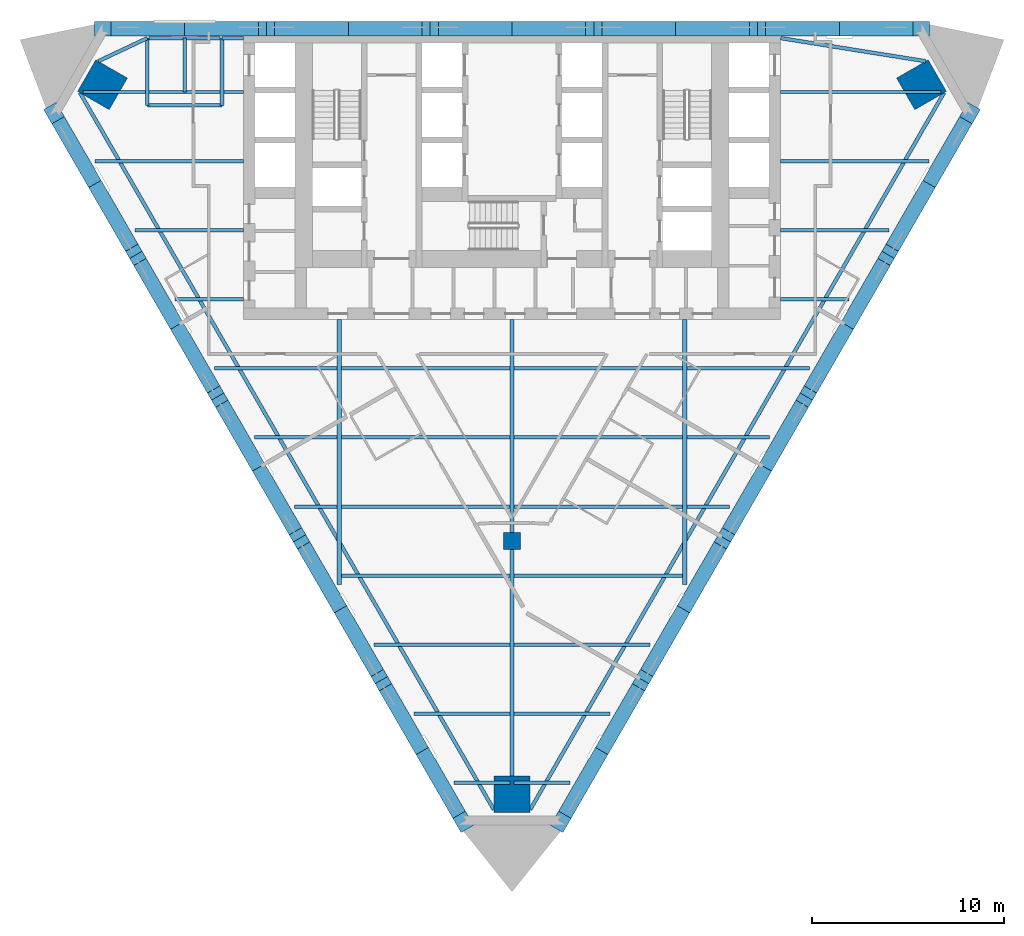
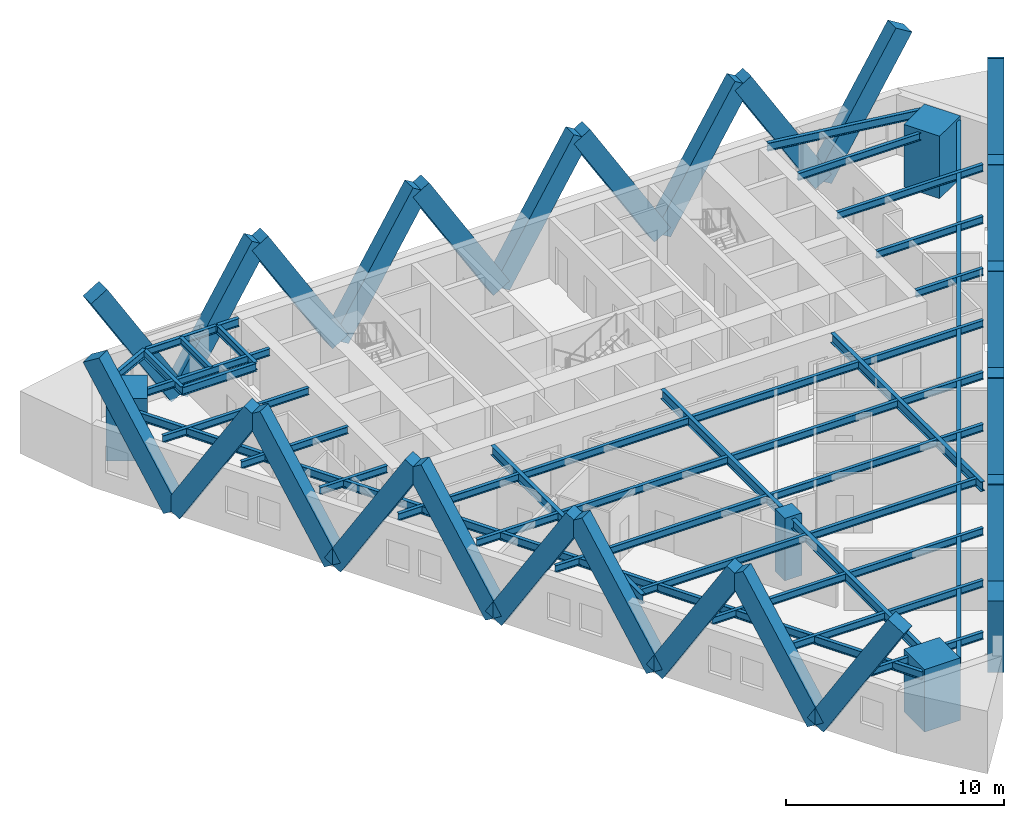
# One storey, part 1 of 8: 42 beams, 30 members, 4 columns.
"""IFC4 building model written with IfcOpenShell, lengths in metres."""

import ifcopenshell
import ifcopenshell.guid

model = None  # the IFC model being written
_history = None  # IfcOwnerHistory: only IFC2X3 demands one
_inside = {}  # id of a spatial element -> (the spatial element, [elements in it])
_under = {}  # id of a project, library or spatial element -> (it, [spatial elements below it])
_declared = {}  # id of a project -> (the project, [libraries it declares])
_typed = {}  # id of a type object -> (the type object, [elements of that type])
_made_of = {}  # id of a material, layer set ... -> (it, [elements and type objects made of it])


def new_model(schema):
    """Start an empty IFC model of exactly this schema.

    Asked for "IFC4X3", IfcOpenShell would pick the latest addendum, in which some entities
    have other attributes; the version numbers below select the first issue.
    IFC2X3 requires an IfcOwnerHistory on every rooted entity: one is made here for all.
    """
    global model, _history
    if schema == "IFC4X3":
        model = ifcopenshell.file(schema_version=(4, 3, 0, 0))
    else:
        model = ifcopenshell.file(schema=schema)
    _inside.clear()
    _under.clear()
    _declared.clear()
    _typed.clear()
    _made_of.clear()
    _history = None
    if model.schema == "IFC2X3":
        org = make("IfcOrganization", Name="unknown")
        user = make(
            "IfcPersonAndOrganization",
            ThePerson=make("IfcPerson", FamilyName="unknown"),
            TheOrganization=org,
        )
        app = make(
            "IfcApplication",
            ApplicationDeveloper=org,
            Version="unknown",
            ApplicationFullName="unknown",
            ApplicationIdentifier="unknown",
        )
        _history = make(
            "IfcOwnerHistory",
            OwningUser=user,
            OwningApplication=app,
            ChangeAction="ADDED",
            CreationDate=0,
        )
    return model


def make(cls, **values):
    """One entity of the class cls with the attributes given. An attribute that is None is left unset."""
    return model.create_entity(
        cls, **{name: value for name, value in values.items() if value is not None}
    )


def rooted(cls, **values):
    """An entity with a GlobalId (a new one), such as an element, a storey or a relation."""
    return make(cls, GlobalId=ifcopenshell.guid.new(), OwnerHistory=_history, **values)


def si_unit(unit_type, name, prefix=None):
    """IfcSIUnit, for example si_unit("LENGTHUNIT", "METRE", prefix="MILLI")."""
    return make("IfcSIUnit", UnitType=unit_type, Prefix=prefix, Name=name)


def assignment(units):
    """IfcUnitAssignment: the units of a project."""
    return None if units is None else make("IfcUnitAssignment", Units=units)


def point(xyz):
    """IfcCartesianPoint."""
    return None if xyz is None else make("IfcCartesianPoint", Coordinates=xyz)


def direction(xyz):
    """IfcDirection."""
    return None if xyz is None else make("IfcDirection", DirectionRatios=xyz)


def frame(location, z_axis=None, x_axis=None):
    """IfcAxis2Placement3D, a coordinate frame: its origin and axes. An axis left out is left unset."""
    return make(
        "IfcAxis2Placement3D",
        Location=point(location),
        Axis=direction(z_axis),
        RefDirection=direction(x_axis),
    )


def frame_2d(location, x_axis=None):
    """IfcAxis2Placement2D, a coordinate frame in the plane: its origin and x axis."""
    return make(
        "IfcAxis2Placement2D", Location=point(location), RefDirection=direction(x_axis)
    )


def origin():
    """The frame at (0, 0, 0) with its axes left unset."""
    return frame((0.0, 0.0, 0.0))


def origin_2d():
    """The frame at (0, 0) in the plane with its x axis left unset."""
    return frame_2d((0.0, 0.0))


def place(relative_to, where):
    """IfcLocalPlacement: puts the frame where relative to a parent placement (None: the world)."""
    return make(
        "IfcLocalPlacement", PlacementRelTo=relative_to, RelativePlacement=where
    )


def context(
    kind, dimensions, precision=None, world=None, true_north=None, identifier=None
):
    """IfcGeometricRepresentationContext, for example the 3D "Model" context."""
    return make(
        "IfcGeometricRepresentationContext",
        ContextIdentifier=identifier,
        ContextType=kind,
        CoordinateSpaceDimension=dimensions,
        Precision=precision,
        WorldCoordinateSystem=world,
        TrueNorth=true_north,
    )


def subcontext(parent, identifier, kind, view, scale=None):
    """IfcGeometricRepresentationSubContext, for example "Body" below "Model"."""
    return make(
        "IfcGeometricRepresentationSubContext",
        ContextIdentifier=identifier,
        ContextType=kind,
        ParentContext=parent,
        TargetScale=scale,
        TargetView=view,
    )


def project(units=None, contexts=None):
    """IfcProject with its units and contexts."""
    return rooted(
        "IfcProject",
        Name="project",
        RepresentationContexts=contexts,
        UnitsInContext=assignment(units),
    )


def spatial(cls, under=None, at=None, **own):
    """A site, building, storey or space (cls), placed at a placement, below another one or the project."""
    s = rooted(cls, ObjectPlacement=at, **own)
    if under is not None:
        _under.setdefault(under.id(), (under, []))[1].append(s)
    return s


def profile(cls, at=None, kind="AREA", **sizes):
    """A parametric profile (cls). Its sizes go by their IFC names, for example OverallWidth=200.0."""
    return make(cls, ProfileType=kind, Position=at, **sizes)


def rectangle(**sizes):
    """IfcRectangleProfileDef."""
    return profile("IfcRectangleProfileDef", **sizes)


def i_section(**sizes):
    """IfcIShapeProfileDef."""
    return profile("IfcIShapeProfileDef", **sizes)


def extrude(swept, where, along, depth):
    """IfcExtrudedAreaSolid: the profile swept, set in the frame where, extruded along a direction by depth."""
    return make(
        "IfcExtrudedAreaSolid",
        SweptArea=swept,
        Position=where,
        ExtrudedDirection=direction(along),
        Depth=depth,
    )


def shape(context_of_items, identifier, shape_type, items):
    """IfcShapeRepresentation: the items that make up one representation, for example the "Body"."""
    return make(
        "IfcShapeRepresentation",
        ContextOfItems=context_of_items,
        RepresentationIdentifier=identifier,
        RepresentationType=shape_type,
        Items=items,
    )


def material(Name=None, Category=None):
    """IfcMaterial."""
    return make("IfcMaterial", Name=Name, Category=Category)


def material_profile(
    of_material, cross_section, Name=None, Category=None, Priority=None
):
    """IfcMaterialProfile: a cross section and its material."""
    return make(
        "IfcMaterialProfile",
        Name=Name,
        Material=of_material,
        Profile=cross_section,
        Priority=Priority,
        Category=Category,
    )


def profile_set(profiles, Name=None, composite=None):
    """IfcMaterialProfileSet."""
    return make(
        "IfcMaterialProfileSet",
        Name=Name,
        MaterialProfiles=profiles,
        CompositeProfile=composite,
    )


def made_of(thing, what):
    """Note that an element or type object is made of a material, layer set ...; save() writes the relation."""
    if what is not None:
        _made_of.setdefault(what.id(), (what, []))[1].append(thing)
    return thing


def type_object(cls, material=None, **own):
    """A type object (cls), such as IfcWallType, which elements share."""
    return made_of(rooted(cls, **own), material)


def element(
    cls,
    number,
    at=None,
    inside=None,
    cuts=None,
    type_object=None,
    material=None,
    context=None,
    identifier="Body",
    shape_type=None,
    held_by="IfcProductDefinitionShape",
    body=None,
    shapes=None,
    **own,
):
    """One element of the class cls, such as IfcWall. Its Tag is "e" and its number.

    at: its placement. inside: the storey or other place that contains it. cuts: it is an
    opening in that element (IfcRelVoidsElement). A single representation is given by context,
    identifier, shape_type and body (its items); several are given by shapes. held_by: the class
    of the entity that holds the representations. save() writes the other relations.
    """
    e = rooted(cls, Tag="e%d" % number, ObjectPlacement=at, **own)
    if body is not None:
        shapes = [shape(context, identifier, shape_type, body)]
    if shapes is not None:
        e.Representation = make(held_by, Representations=shapes)
    if inside is not None:
        _inside.setdefault(inside.id(), (inside, []))[1].append(e)
    if cuts is not None:
        rooted(
            "IfcRelVoidsElement", RelatingBuildingElement=cuts, RelatedOpeningElement=e
        )
    if type_object is not None:
        _typed.setdefault(type_object.id(), (type_object, []))[1].append(e)
    return made_of(e, material)


def aggregate(whole, parts):
    """IfcRelAggregates: a whole, such as a stair, and the parts it consists of."""
    return rooted("IfcRelAggregates", RelatingObject=whole, RelatedObjects=parts)


def save(model, path):
    """Write the relations noted so far, then the file.

    IfcRelAggregates (storeys below a building ...), IfcRelContainedInSpatialStructure (elements
    in a storey), IfcRelDefinesByType, IfcRelAssociatesMaterial and IfcRelDeclares: one each for
    every whole, place, type object, material and project.
    """
    for whole, parts in _under.values():
        aggregate(whole, parts)
    for where, things in _inside.values():
        rooted(
            "IfcRelContainedInSpatialStructure",
            RelatedElements=things,
            RelatingStructure=where,
        )
    for kind, things in _typed.values():
        rooted("IfcRelDefinesByType", RelatedObjects=things, RelatingType=kind)
    for what, things in _made_of.values():
        rooted("IfcRelAssociatesMaterial", RelatedObjects=things, RelatingMaterial=what)
    for by, libraries in _declared.values():
        rooted("IfcRelDeclares", RelatingContext=by, RelatedDefinitions=libraries)
    model.write(path)


model = new_model("IFC4")

# Units and contexts
model_context = context("Model", 3, precision=1e-05, world=origin(), true_north=direction((0.0, 1.0)))
body_context = subcontext(model_context, "Body", "Model", "MODEL_VIEW")
ifc_project = project(units=[si_unit("LENGTHUNIT", "METRE"), si_unit("AREAUNIT", "SQUARE_METRE"), si_unit("VOLUMEUNIT", "CUBIC_METRE"), si_unit("PLANEANGLEUNIT", "RADIAN"), si_unit("MASSUNIT", "GRAM", prefix="KILO")], contexts=[model_context])

# Site, building, storey
site_placement = place(None, origin())
site = spatial("IfcSite", under=ifc_project, at=site_placement, CompositionType="ELEMENT")
building_placement = place(site_placement, origin())
building = spatial("IfcBuilding", under=site, at=building_placement, Name="Aloe Facet Convention Tower", CompositionType="ELEMENT")
storey_placement = place(building_placement, frame((0.0, 0.0, 88.800048828125)))
storey = spatial("IfcBuildingStorey", under=building, at=storey_placement, Name="L21", CompositionType="ELEMENT", Elevation=88.800048828125)

# Columns
ifc_material_1 = material(Name="Concrete C70/85", Category="concrete")
ifc_material_profile_1 = material_profile(ifc_material_1, rectangle(XDim=0.89990234375, YDim=0.89990234375, at=origin_2d()), Name="SF-GC-Z2")
ifc_profile_set_1 = profile_set([ifc_material_profile_1], Name="Concrete C70/85")
column_type_1 = type_object("IfcColumnType", Name="SF-GC-Z2", PredefinedType="COLUMN", material=ifc_profile_set_1)
column_placement = place(storey_placement, frame((80.0, 108.0, 0.0), z_axis=(0.0, 0.0, 1.0), x_axis=(1.0, 0.0, 0.0)))
element("IfcColumn", 1, at=column_placement, inside=storey, type_object=column_type_1, Name="Gravity column GC-Z2-9D", PredefinedType="COLUMN", context=body_context, shape_type="SweptSolid", body=[
    extrude(rectangle(XDim=0.89990234375, YDim=0.89990234375, at=origin_2d()), origin(), (0.0, 0.0, 1.0), 3.5),
])
ifc_material_2 = material(Name="Concrete C80/95", Category="concrete")
ifc_material_profile_2 = material_profile(ifc_material_2, rectangle(XDim=1.89990234375, YDim=1.89990234375, at=origin_2d()), Name="STW-MC-Z2")
ifc_profile_set_2 = profile_set([ifc_material_profile_2], Name="Concrete C80/95")
column_type_2 = type_object("IfcColumnType", Name="STW-MC-Z2", PredefinedType="COLUMN", material=ifc_profile_set_2)
for number, where, z_axis, x_axis, name in (
    (2, (101.3359375, 131.775146484375, 0.0), (0.0, 0.0, 1.0), (-0.5, 0.866025403784, 0.0), "Mega-column MC-NE-L21"),
    (3, (58.6640625, 131.775146484375, 0.0), (0.0, 0.0, 1.0), (-0.5, -0.866025403784, 0.0), "Mega-column MC-NW-L21"),
    (4, (80.0, 94.8203125, 0.0), (0.0, 0.0, 1.0), (1.0, 0.0, 0.0), "Mega-column MC-S-L21"),
):
    element("IfcColumn", number, at=place(storey_placement, frame(where, z_axis=z_axis, x_axis=x_axis)), inside=storey, type_object=column_type_2, Name=name, PredefinedType="COLUMN", context=body_context, shape_type="SweptSolid", body=[
        extrude(rectangle(XDim=1.89990234375, YDim=1.89990234375, at=origin_2d()), origin(), (0.0, 0.0, 1.0), 3.5),
    ])

# Beams
ifc_material_3 = material(Name="Steel S355", Category="steel")
ifc_material_profile_3 = material_profile(ifc_material_3, i_section(OverallWidth=0.177734375, OverallDepth=0.402587890625, WebThickness=0.0078125, FlangeThickness=0.010986328125, FilletRadius=0.01025390625, at=origin_2d()), Name="UB 406x178x54")
ifc_profile_set_3 = profile_set([ifc_material_profile_3], Name="Steel S355")
beam_type_1 = type_object("IfcBeamType", Name="SF-B-UB406x178x54", PredefinedType="BEAM", material=ifc_profile_set_3)
beam_1_placement = place(storey_placement, frame((57.6376953125, 131.39990234375, 3.148681640625), z_axis=(1.0, 0.0, 0.0), x_axis=(0.0, 1.0, 0.0)))
element("IfcBeam", 5, at=beam_1_placement, inside=storey, type_object=beam_type_1, Name="Floor beam FB-Z2C-013", PredefinedType="BEAM", context=body_context, shape_type="SweptSolid", body=[
    extrude(i_section(OverallWidth=0.177734375, OverallDepth=0.402587890625, WebThickness=0.0078125, FlangeThickness=0.010986328125, FilletRadius=0.01025390625, at=origin_2d()), origin(), (0.0, 0.0, 1.0), 8.3623046875),
])
beam_2_placement = place(storey_placement, frame((58.27294921875, 127.800048828125, 3.148681640625), z_axis=(1.0, 0.0, 0.0), x_axis=(0.0, 1.0, 0.0)))
element("IfcBeam", 6, at=beam_2_placement, inside=storey, type_object=beam_type_1, Name="Floor beam FB-Z2C-014", PredefinedType="BEAM", context=body_context, shape_type="SweptSolid", body=[
    extrude(i_section(OverallWidth=0.177734375, OverallDepth=0.402587890625, WebThickness=0.0078125, FlangeThickness=0.010986328125, FilletRadius=0.01025390625, at=origin_2d()), origin(), (0.0, 0.0, 1.0), 7.72705078125),
])
beam_3_placement = place(storey_placement, frame((60.351318359375, 124.199951171875, 3.148681640625), z_axis=(1.0, 0.0, 0.0), x_axis=(0.0, 1.0, 0.0)))
element("IfcBeam", 7, at=beam_3_placement, inside=storey, type_object=beam_type_1, Name="Floor beam FB-Z2C-015", PredefinedType="BEAM", context=body_context, shape_type="SweptSolid", body=[
    extrude(i_section(OverallWidth=0.177734375, OverallDepth=0.402587890625, WebThickness=0.0078125, FlangeThickness=0.010986328125, FilletRadius=0.01025390625, at=origin_2d()), origin(), (0.0, 0.0, 1.0), 5.648681640625),
])
beam_4_placement = place(storey_placement, frame((62.429931640625, 120.60009765625, 3.148681640625), z_axis=(1.0, 0.0, 0.0), x_axis=(0.0, 1.0, 0.0)))
element("IfcBeam", 8, at=beam_4_placement, inside=storey, type_object=beam_type_1, Name="Floor beam FB-Z2C-016", PredefinedType="BEAM", context=body_context, shape_type="SweptSolid", body=[
    extrude(i_section(OverallWidth=0.177734375, OverallDepth=0.402587890625, WebThickness=0.0078125, FlangeThickness=0.010986328125, FilletRadius=0.01025390625, at=origin_2d()), origin(), (0.0, 0.0, 1.0), 3.570068359375),
])
beam_5_placement = place(storey_placement, frame((64.50830078125, 117.0, 3.148681640625), z_axis=(1.0, 0.0, 0.0), x_axis=(0.0, 1.0, 0.0)))
element("IfcBeam", 9, at=beam_5_placement, inside=storey, type_object=beam_type_1, Name="Floor beam FB-Z2C-017", PredefinedType="BEAM", context=body_context, shape_type="SweptSolid", body=[
    extrude(i_section(OverallWidth=0.177734375, OverallDepth=0.402587890625, WebThickness=0.0078125, FlangeThickness=0.010986328125, FilletRadius=0.01025390625, at=origin_2d()), origin(), (0.0, 0.0, 1.0), 6.38623046875),
])
beam_6_placement = place(storey_placement, frame((66.5869140625, 113.39990234375, 3.148681640625), z_axis=(1.0, 0.0, 0.0), x_axis=(0.0, 1.0, 0.0)))
element("IfcBeam", 10, at=beam_6_placement, inside=storey, type_object=beam_type_1, Name="Floor beam FB-Z2C-018", PredefinedType="BEAM", context=body_context, shape_type="SweptSolid", body=[
    extrude(i_section(OverallWidth=0.177734375, OverallDepth=0.402587890625, WebThickness=0.0078125, FlangeThickness=0.010986328125, FilletRadius=0.01025390625, at=origin_2d()), origin(), (0.0, 0.0, 1.0), 4.3076171875),
])
beam_7_placement = place(storey_placement, frame((68.665283203125, 109.800048828125, 3.148681640625), z_axis=(1.0, 0.0, 0.0), x_axis=(0.0, 1.0, 0.0)))
element("IfcBeam", 11, at=beam_7_placement, inside=storey, type_object=beam_type_1, Name="Floor beam FB-Z2C-019", PredefinedType="BEAM", context=body_context, shape_type="SweptSolid", body=[
    extrude(i_section(OverallWidth=0.177734375, OverallDepth=0.402587890625, WebThickness=0.0078125, FlangeThickness=0.010986328125, FilletRadius=0.01025390625, at=origin_2d()), origin(), (0.0, 0.0, 1.0), 2.229248046875),
])
for number, where, z_axis, x_axis, name in (
    (12, (71.10546875, 106.199951171875, 3.148681640625), (1.0, 0.0, 0.0), (0.0, 1.0, 0.0), "Floor beam FB-Z2C-020"),
    (13, (71.10546875, 109.800048828125, 3.148681640625), (1.0, 0.0, 0.0), (0.0, 1.0, 0.0), "Floor beam FB-Z2C-021"),
    (14, (71.10546875, 113.39990234375, 3.148681640625), (1.0, 0.0, 0.0), (0.0, 1.0, 0.0), "Floor beam FB-Z2C-022"),
    (15, (71.10546875, 117.0, 3.148681640625), (1.0, 0.0, 0.0), (0.0, 1.0, 0.0), "Floor beam FB-Z2C-023"),
):
    element("IfcBeam", number, at=place(storey_placement, frame(where, z_axis=z_axis, x_axis=x_axis)), inside=storey, type_object=beam_type_1, Name=name, PredefinedType="BEAM", context=body_context, shape_type="SweptSolid", body=[
        extrude(i_section(OverallWidth=0.177734375, OverallDepth=0.402587890625, WebThickness=0.0078125, FlangeThickness=0.010986328125, FilletRadius=0.01025390625, at=origin_2d()), origin(), (0.0, 0.0, 1.0), 8.7890625),
    ])
beam_8_placement = place(storey_placement, frame((72.822265625, 102.60009765625, 3.148681640625), z_axis=(1.0, 0.0, 0.0), x_axis=(0.0, 1.0, 0.0)))
element("IfcBeam", 16, at=beam_8_placement, inside=storey, type_object=beam_type_1, Name="Floor beam FB-Z2C-024", PredefinedType="BEAM", context=body_context, shape_type="SweptSolid", body=[
    extrude(i_section(OverallWidth=0.177734375, OverallDepth=0.402587890625, WebThickness=0.0078125, FlangeThickness=0.010986328125, FilletRadius=0.01025390625, at=origin_2d()), origin(), (0.0, 0.0, 1.0), 7.072265625),
])
beam_9_placement = place(storey_placement, frame((74.900634765625, 99.0, 3.148681640625), z_axis=(1.0, 0.0, 0.0), x_axis=(0.0, 1.0, 0.0)))
element("IfcBeam", 17, at=beam_9_placement, inside=storey, type_object=beam_type_1, Name="Floor beam FB-Z2C-025", PredefinedType="BEAM", context=body_context, shape_type="SweptSolid", body=[
    extrude(i_section(OverallWidth=0.177734375, OverallDepth=0.402587890625, WebThickness=0.0078125, FlangeThickness=0.010986328125, FilletRadius=0.01025390625, at=origin_2d()), origin(), (0.0, 0.0, 1.0), 4.993896484375),
])
for number, where, z_axis, x_axis, name in (
    (18, (76.97900390625, 95.39990234375, 3.148681640625), (1.0, 0.0, 0.0), (0.0, 1.0, 0.0), "Floor beam FB-Z2C-026"),
    (19, (80.10546875, 95.39990234375, 3.148681640625), (1.0, 0.0, 0.0), (0.0, 1.0, 0.0), "Floor beam FB-Z2C-027"),
):
    element("IfcBeam", number, at=place(storey_placement, frame(where, z_axis=z_axis, x_axis=x_axis)), inside=storey, type_object=beam_type_1, Name=name, PredefinedType="BEAM", context=body_context, shape_type="SweptSolid", body=[
        extrude(i_section(OverallWidth=0.177734375, OverallDepth=0.402587890625, WebThickness=0.0078125, FlangeThickness=0.010986328125, FilletRadius=0.01025390625, at=origin_2d()), origin(), (0.0, 0.0, 1.0), 2.91552734375),
    ])
beam_10_placement = place(storey_placement, frame((80.10546875, 99.0, 3.148681640625), z_axis=(1.0, 0.0, 0.0), x_axis=(0.0, 1.0, 0.0)))
element("IfcBeam", 20, at=beam_10_placement, inside=storey, type_object=beam_type_1, Name="Floor beam FB-Z2C-028", PredefinedType="BEAM", context=body_context, shape_type="SweptSolid", body=[
    extrude(i_section(OverallWidth=0.177734375, OverallDepth=0.402587890625, WebThickness=0.0078125, FlangeThickness=0.010986328125, FilletRadius=0.01025390625, at=origin_2d()), origin(), (0.0, 0.0, 1.0), 4.993896484375),
])
beam_11_placement = place(storey_placement, frame((80.10546875, 102.60009765625, 3.148681640625), z_axis=(1.0, 0.0, 0.0), x_axis=(0.0, 1.0, 0.0)))
element("IfcBeam", 21, at=beam_11_placement, inside=storey, type_object=beam_type_1, Name="Floor beam FB-Z2C-029", PredefinedType="BEAM", context=body_context, shape_type="SweptSolid", body=[
    extrude(i_section(OverallWidth=0.177734375, OverallDepth=0.402587890625, WebThickness=0.0078125, FlangeThickness=0.010986328125, FilletRadius=0.01025390625, at=origin_2d()), origin(), (0.0, 0.0, 1.0), 7.072265625),
])
for number, where, z_axis, x_axis, name in (
    (22, (80.10546875, 106.199951171875, 3.148681640625), (1.0, 0.0, 0.0), (0.0, 1.0, 0.0), "Floor beam FB-Z2C-030"),
    (23, (80.10546875, 109.800048828125, 3.148681640625), (1.0, 0.0, 0.0), (0.0, 1.0, 0.0), "Floor beam FB-Z2C-031"),
    (24, (80.10546875, 113.39990234375, 3.148681640625), (1.0, 0.0, 0.0), (0.0, 1.0, 0.0), "Floor beam FB-Z2C-032"),
    (25, (80.10546875, 117.0, 3.148681640625), (1.0, 0.0, 0.0), (0.0, 1.0, 0.0), "Floor beam FB-Z2C-033"),
):
    element("IfcBeam", number, at=place(storey_placement, frame(where, z_axis=z_axis, x_axis=x_axis)), inside=storey, type_object=beam_type_1, Name=name, PredefinedType="BEAM", context=body_context, shape_type="SweptSolid", body=[
        extrude(i_section(OverallWidth=0.177734375, OverallDepth=0.402587890625, WebThickness=0.0078125, FlangeThickness=0.010986328125, FilletRadius=0.01025390625, at=origin_2d()), origin(), (0.0, 0.0, 1.0), 8.7890625),
    ])
beam_12_placement = place(storey_placement, frame((89.10546875, 109.800048828125, 3.148681640625), z_axis=(1.0, 0.0, 0.0), x_axis=(0.0, 1.0, 0.0)))
element("IfcBeam", 26, at=beam_12_placement, inside=storey, type_object=beam_type_1, Name="Floor beam FB-Z2C-034", PredefinedType="BEAM", context=body_context, shape_type="SweptSolid", body=[
    extrude(i_section(OverallWidth=0.177734375, OverallDepth=0.402587890625, WebThickness=0.0078125, FlangeThickness=0.010986328125, FilletRadius=0.01025390625, at=origin_2d()), origin(), (0.0, 0.0, 1.0), 2.229248046875),
])
beam_13_placement = place(storey_placement, frame((89.10546875, 113.39990234375, 3.148681640625), z_axis=(1.0, 0.0, 0.0), x_axis=(0.0, 1.0, 0.0)))
element("IfcBeam", 27, at=beam_13_placement, inside=storey, type_object=beam_type_1, Name="Floor beam FB-Z2C-035", PredefinedType="BEAM", context=body_context, shape_type="SweptSolid", body=[
    extrude(i_section(OverallWidth=0.177734375, OverallDepth=0.402587890625, WebThickness=0.0078125, FlangeThickness=0.010986328125, FilletRadius=0.01025390625, at=origin_2d()), origin(), (0.0, 0.0, 1.0), 4.3076171875),
])
beam_14_placement = place(storey_placement, frame((89.10546875, 117.0, 3.148681640625), z_axis=(1.0, 0.0, 0.0), x_axis=(0.0, 1.0, 0.0)))
element("IfcBeam", 28, at=beam_14_placement, inside=storey, type_object=beam_type_1, Name="Floor beam FB-Z2C-036", PredefinedType="BEAM", context=body_context, shape_type="SweptSolid", body=[
    extrude(i_section(OverallWidth=0.177734375, OverallDepth=0.402587890625, WebThickness=0.0078125, FlangeThickness=0.010986328125, FilletRadius=0.01025390625, at=origin_2d()), origin(), (0.0, 0.0, 1.0), 6.38623046875),
])
beam_15_placement = place(storey_placement, frame((94.0, 120.60009765625, 3.148681640625), z_axis=(1.0, 0.0, 0.0), x_axis=(0.0, 1.0, 0.0)))
element("IfcBeam", 29, at=beam_15_placement, inside=storey, type_object=beam_type_1, Name="Floor beam FB-Z2C-037", PredefinedType="BEAM", context=body_context, shape_type="SweptSolid", body=[
    extrude(i_section(OverallWidth=0.177734375, OverallDepth=0.402587890625, WebThickness=0.0078125, FlangeThickness=0.010986328125, FilletRadius=0.01025390625, at=origin_2d()), origin(), (0.0, 0.0, 1.0), 3.570068359375),
])
beam_16_placement = place(storey_placement, frame((94.0, 124.199951171875, 3.148681640625), z_axis=(1.0, 0.0, 0.0), x_axis=(0.0, 1.0, 0.0)))
element("IfcBeam", 30, at=beam_16_placement, inside=storey, type_object=beam_type_1, Name="Floor beam FB-Z2C-038", PredefinedType="BEAM", context=body_context, shape_type="SweptSolid", body=[
    extrude(i_section(OverallWidth=0.177734375, OverallDepth=0.402587890625, WebThickness=0.0078125, FlangeThickness=0.010986328125, FilletRadius=0.01025390625, at=origin_2d()), origin(), (0.0, 0.0, 1.0), 5.648681640625),
])
beam_17_placement = place(storey_placement, frame((94.0, 127.800048828125, 3.148681640625), z_axis=(1.0, 0.0, 0.0), x_axis=(0.0, 1.0, 0.0)))
element("IfcBeam", 31, at=beam_17_placement, inside=storey, type_object=beam_type_1, Name="Floor beam FB-Z2C-039", PredefinedType="BEAM", context=body_context, shape_type="SweptSolid", body=[
    extrude(i_section(OverallWidth=0.177734375, OverallDepth=0.402587890625, WebThickness=0.0078125, FlangeThickness=0.010986328125, FilletRadius=0.01025390625, at=origin_2d()), origin(), (0.0, 0.0, 1.0), 7.72705078125),
])
beam_18_placement = place(storey_placement, frame((94.0, 131.39990234375, 3.148681640625), z_axis=(1.0, 0.0, 0.0), x_axis=(0.0, 1.0, 0.0)))
element("IfcBeam", 32, at=beam_18_placement, inside=storey, type_object=beam_type_1, Name="Floor beam FB-Z2C-040", PredefinedType="BEAM", context=body_context, shape_type="SweptSolid", body=[
    extrude(i_section(OverallWidth=0.177734375, OverallDepth=0.402587890625, WebThickness=0.0078125, FlangeThickness=0.010986328125, FilletRadius=0.01025390625, at=origin_2d()), origin(), (0.0, 0.0, 1.0), 8.3623046875),
])
beam_19_placement = place(storey_placement, frame((61.0927734375, 134.205078125, 3.148681640625), z_axis=(1.0, 0.0, 0.0), x_axis=(0.0, 1.0, 0.0)))
element("IfcBeam", 33, at=beam_19_placement, inside=storey, type_object=beam_type_1, Name="Terrace beam FB-T04-2", PredefinedType="BEAM", context=body_context, shape_type="SweptSolid", body=[
    extrude(i_section(OverallWidth=0.177734375, OverallDepth=0.402587890625, WebThickness=0.0078125, FlangeThickness=0.010986328125, FilletRadius=0.01025390625, at=origin_2d()), origin(), (0.0, 0.0, 1.0), 3.699951171875),
])
beam_20_placement = place(storey_placement, frame((62.94287109375, 131.39990234375, 3.148681640625), z_axis=(0.0, 1.0, 0.0), x_axis=(-1.0, 0.0, 0.0)))
element("IfcBeam", 34, at=beam_20_placement, inside=storey, type_object=beam_type_1, Name="Terrace beam FB-T04-3", PredefinedType="BEAM", context=body_context, shape_type="SweptSolid", body=[
    extrude(i_section(OverallWidth=0.177734375, OverallDepth=0.402587890625, WebThickness=0.0078125, FlangeThickness=0.010986328125, FilletRadius=0.01025390625, at=origin_2d()), origin(), (0.0, 0.0, 1.0), 2.80517578125),
])
ifc_material_4 = material(Name="Steel S355", Category="steel")
ifc_material_profile_4 = material_profile(ifc_material_4, i_section(OverallWidth=0.18994140625, OverallDepth=0.453369140625, WebThickness=0.008544921875, FlangeThickness=0.0126953125, FilletRadius=0.01025390625, at=origin_2d()), Name="UB 457x191x67")
ifc_profile_set_4 = profile_set([ifc_material_profile_4], Name="Steel S355")
beam_type_2 = type_object("IfcBeamType", Name="SF-B-UB457x191x67", PredefinedType="BEAM", material=ifc_profile_set_4)
beam_21_placement = place(storey_placement, frame((58.44189453125, 133.00048828125, 3.123291015625), z_axis=(0.904571819317, 0.426321268174, 0.0), x_axis=(-0.426321268174, 0.904571819317, 0.0)))
element("IfcBeam", 35, at=beam_21_placement, inside=storey, type_object=beam_type_2, Name="Floor beam FB-Z2C-001", PredefinedType="BEAM", context=body_context, shape_type="SweptSolid", body=[
    extrude(i_section(OverallWidth=0.18994140625, OverallDepth=0.453369140625, WebThickness=0.008544921875, FlangeThickness=0.0126953125, FilletRadius=0.01025390625, at=origin_2d()), origin(), (0.0, 0.0, 1.0), 2.825439453125),
])
beam_22_placement = place(storey_placement, frame((60.997802734375, 130.705078125, 3.123291015625), z_axis=(1.0, 0.0, 0.0), x_axis=(0.0, 1.0, 0.0)))
element("IfcBeam", 36, at=beam_22_placement, inside=storey, type_object=beam_type_2, Name="Floor beam FB-Z2C-002", PredefinedType="BEAM", context=body_context, shape_type="SweptSolid", body=[
    extrude(i_section(OverallWidth=0.18994140625, OverallDepth=0.453369140625, WebThickness=0.008544921875, FlangeThickness=0.0126953125, FilletRadius=0.01025390625, at=origin_2d()), origin(), (0.0, 0.0, 1.0), 3.889892578125),
])
for number, where, z_axis, x_axis, name in (
    (37, (60.997802734375, 134.205078125, 3.123291015625), (0.0, -1.0, 0.0), (1.0, 0.0, 0.0), "Floor beam FB-Z2C-003"),
    (38, (64.8876953125, 130.705078125, 3.123291015625), (0.0, 1.0, 0.0), (-1.0, 0.0, 0.0), "Floor beam FB-Z2C-004"),
):
    element("IfcBeam", number, at=place(storey_placement, frame(where, z_axis=z_axis, x_axis=x_axis)), inside=storey, type_object=beam_type_2, Name=name, PredefinedType="BEAM", context=body_context, shape_type="SweptSolid", body=[
        extrude(i_section(OverallWidth=0.18994140625, OverallDepth=0.453369140625, WebThickness=0.008544921875, FlangeThickness=0.0126953125, FilletRadius=0.01025390625, at=origin_2d()), origin(), (0.0, 0.0, 1.0), 3.5),
    ])
beam_23_placement = place(storey_placement, frame((64.8876953125, 134.205078125, 3.123291015625), z_axis=(1.0, 0.0, 0.0), x_axis=(0.0, 1.0, 0.0)))
element("IfcBeam", 39, at=beam_23_placement, inside=storey, type_object=beam_type_2, Name="Floor beam FB-Z2C-005", PredefinedType="BEAM", context=body_context, shape_type="SweptSolid", body=[
    extrude(i_section(OverallWidth=0.18994140625, OverallDepth=0.453369140625, WebThickness=0.008544921875, FlangeThickness=0.0126953125, FilletRadius=0.01025390625, at=origin_2d()), origin(), (0.0, 0.0, 1.0), 1.1123046875),
])
beam_24_placement = place(storey_placement, frame((79.050048828125, 94.01513671875, 3.123291015625), z_axis=(-0.499998897659, 0.86602604022, 0.0), x_axis=(-0.86602604022, -0.499998897659, 0.0)))
element("IfcBeam", 40, at=beam_24_placement, inside=storey, type_object=beam_type_2, Name="Floor beam FB-Z2C-006", PredefinedType="BEAM", context=body_context, shape_type="SweptSolid", body=[
    extrude(i_section(OverallWidth=0.18994140625, OverallDepth=0.453369140625, WebThickness=0.008544921875, FlangeThickness=0.0126953125, FilletRadius=0.01025390625, at=origin_2d()), origin(), (0.0, 0.0, 1.0), 43.1162109375),
])
beam_25_placement = place(storey_placement, frame((94.0, 134.205078125, 3.123291015625), z_axis=(0.987536396348, -0.15739080624, 0.0), x_axis=(0.15739080624, 0.987536396348, 0.0)))
element("IfcBeam", 41, at=beam_25_placement, inside=storey, type_object=beam_type_2, Name="Floor beam FB-Z2C-007", PredefinedType="BEAM", context=body_context, shape_type="SweptSolid", body=[
    extrude(i_section(OverallWidth=0.18994140625, OverallDepth=0.453369140625, WebThickness=0.008544921875, FlangeThickness=0.0126953125, FilletRadius=0.01025390625, at=origin_2d()), origin(), (0.0, 0.0, 1.0), 7.653564453125),
])
beam_26_placement = place(storey_placement, frame((102.508056640625, 131.35498046875, 3.123291015625), z_axis=(-0.499998897659, -0.86602604022, 0.0), x_axis=(0.86602604022, -0.499998897659, 0.0)))
element("IfcBeam", 42, at=beam_26_placement, inside=storey, type_object=beam_type_2, Name="Floor beam FB-Z2C-008", PredefinedType="BEAM", context=body_context, shape_type="SweptSolid", body=[
    extrude(i_section(OverallWidth=0.18994140625, OverallDepth=0.453369140625, WebThickness=0.008544921875, FlangeThickness=0.0126953125, FilletRadius=0.01025390625, at=origin_2d()), origin(), (0.0, 0.0, 1.0), 43.1162109375),
])
ifc_material_5 = material(Name="Steel S355", Category="steel")
ifc_material_profile_5 = material_profile(ifc_material_5, i_section(OverallWidth=0.210693359375, OverallDepth=0.53955078125, WebThickness=0.01171875, FlangeThickness=0.018798828125, FilletRadius=0.0126953125, at=origin_2d()), Name="UB 533x210x109")
ifc_profile_set_5 = profile_set([ifc_material_profile_5], Name="Steel S355")
beam_type_3 = type_object("IfcBeamType", Name="SF-B-UB533x210x109", PredefinedType="BEAM", material=ifc_profile_set_5)
beam_27_placement = place(storey_placement, frame((71.0, 119.550048828125, 3.080078125), z_axis=(0.0, -1.0, 0.0), x_axis=(1.0, 0.0, 0.0)))
element("IfcBeam", 43, at=beam_27_placement, inside=storey, type_object=beam_type_3, Name="Floor beam FB-Z2C-009", PredefinedType="BEAM", context=body_context, shape_type="SweptSolid", body=[
    extrude(i_section(OverallWidth=0.210693359375, OverallDepth=0.53955078125, WebThickness=0.01171875, FlangeThickness=0.018798828125, FilletRadius=0.0126953125, at=origin_2d()), origin(), (0.0, 0.0, 1.0), 13.80126953125),
])
beam_28_placement = place(storey_placement, frame((80.0, 107.550048828125, 3.080078125), z_axis=(0.0, -1.0, 0.0), x_axis=(1.0, 0.0, 0.0)))
element("IfcBeam", 44, at=beam_28_placement, inside=storey, type_object=beam_type_3, Name="Floor beam FB-Z2C-010", PredefinedType="BEAM", context=body_context, shape_type="SweptSolid", body=[
    extrude(i_section(OverallWidth=0.210693359375, OverallDepth=0.53955078125, WebThickness=0.01171875, FlangeThickness=0.018798828125, FilletRadius=0.0126953125, at=origin_2d()), origin(), (0.0, 0.0, 1.0), 13.429931640625),
])
beam_29_placement = place(storey_placement, frame((80.0, 119.550048828125, 3.080078125), z_axis=(0.0, -1.0, 0.0), x_axis=(1.0, 0.0, 0.0)))
element("IfcBeam", 45, at=beam_29_placement, inside=storey, type_object=beam_type_3, Name="Floor beam FB-Z2C-011", PredefinedType="BEAM", context=body_context, shape_type="SweptSolid", body=[
    extrude(i_section(OverallWidth=0.210693359375, OverallDepth=0.53955078125, WebThickness=0.01171875, FlangeThickness=0.018798828125, FilletRadius=0.0126953125, at=origin_2d()), origin(), (0.0, 0.0, 1.0), 11.10009765625),
])
beam_30_placement = place(storey_placement, frame((89.0, 119.550048828125, 3.080078125), z_axis=(0.0, -1.0, 0.0), x_axis=(1.0, 0.0, 0.0)))
element("IfcBeam", 46, at=beam_30_placement, inside=storey, type_object=beam_type_3, Name="Floor beam FB-Z2C-012", PredefinedType="BEAM", context=body_context, shape_type="SweptSolid", body=[
    extrude(i_section(OverallWidth=0.210693359375, OverallDepth=0.53955078125, WebThickness=0.01171875, FlangeThickness=0.018798828125, FilletRadius=0.0126953125, at=origin_2d()), origin(), (0.0, 0.0, 1.0), 13.80126953125),
])

# Members
ifc_material_6 = material(Name="Concrete C60/75, bronze oxide finish", Category="concrete")
ifc_material_profile_6 = material_profile(ifc_material_6, rectangle(XDim=0.75, YDim=1.0, at=origin_2d()), Name="STW-LM")
ifc_profile_set_6 = profile_set([ifc_material_profile_6], Name="Concrete C60/75, bronze oxide finish")
member_type = type_object("IfcMemberType", Name="STW-LM", PredefinedType="BRACE", material=ifc_profile_set_6)
for number, where, z_axis, x_axis, name in (
    (47, (97.05712890625, 134.699951171875, 0.0), (0.520261568685, 0.0, 0.854006967272), (0.0, 1.0, 0.0), "Lattice member LM-Z2-F1-R1-01"),
    (48, (97.05712890625, 134.699951171875, 0.0), (-0.520239844858, 0.0, 0.854020201062), (0.0, -1.0, 0.0), "Lattice member LM-Z2-F1-R1-02"),
    (49, (88.528564453125, 134.699951171875, 0.0), (0.520261568685, 0.0, 0.854006967272), (0.0, 1.0, 0.0), "Lattice member LM-Z2-F1-R1-03"),
    (50, (88.528564453125, 134.699951171875, 0.0), (-0.520239844858, 0.0, 0.854020201062), (0.0, -1.0, 0.0), "Lattice member LM-Z2-F1-R1-04"),
    (51, (80.0, 134.699951171875, 0.0), (0.520261568685, 0.0, 0.854006967272), (0.0, 1.0, 0.0), "Lattice member LM-Z2-F1-R1-05"),
    (52, (80.0, 134.699951171875, 0.0), (-0.520261568685, 0.0, 0.854006967272), (0.0, -1.0, 0.0), "Lattice member LM-Z2-F1-R1-06"),
    (53, (71.471435546875, 134.699951171875, 0.0), (0.520239844858, 0.0, 0.854020201062), (0.0, 1.0, 0.0), "Lattice member LM-Z2-F1-R1-07"),
    (54, (71.471435546875, 134.699951171875, 0.0), (-0.520261568685, 0.0, 0.854006967272), (0.0, -1.0, 0.0), "Lattice member LM-Z2-F1-R1-08"),
    (55, (62.94287109375, 134.699951171875, 0.0), (0.520239844858, 0.0, 0.854020201062), (0.0, 1.0, 0.0), "Lattice member LM-Z2-F1-R1-09"),
    (56, (62.94287109375, 134.699951171875, 0.0), (-0.520261568685, 0.0, 0.854006967272), (0.0, -1.0, 0.0), "Lattice member LM-Z2-F1-R1-10"),
):
    element("IfcMember", number, at=place(storey_placement, frame(where, z_axis=z_axis, x_axis=x_axis)), inside=storey, type_object=member_type, Name=name, PredefinedType="BRACE", context=body_context, shape_type="SweptSolid", body=[
        extrude(rectangle(XDim=0.75, YDim=1.0, at=origin_2d()), origin(), (0.0, 0.0, 1.0), 8.196533203125),
    ])
member_1_placement = place(storey_placement, frame((58.2705078125, 126.607177734375, 0.0), z_axis=(-0.260144200438, 0.450561177013, 0.854002119873), x_axis=(-0.866014930446, -0.500018139916, 0.0)))
element("IfcMember", 57, at=member_1_placement, inside=storey, type_object=member_type, Name="Lattice member LM-Z2-F2-R1-01", PredefinedType="BRACE", context=body_context, shape_type="SweptSolid", body=[
    extrude(rectangle(XDim=0.75, YDim=1.0, at=origin_2d()), origin(), (0.0, 0.0, 1.0), 8.19677734375),
])
for number, where, z_axis, x_axis, name in (
    (58, (58.2705078125, 126.607177734375, 0.0), (0.26011992139, -0.45054092877, 0.854020197653), (0.866025408043, 0.499999992624, 0.0), "Lattice member LM-Z2-F2-R1-02"),
    (59, (62.53466796875, 119.22119140625, 0.0), (-0.260116430601, 0.450564668007, 0.854008736768), (-0.866039720501, -0.4999752019, 0.0), "Lattice member LM-Z2-F2-R1-03"),
    (60, (62.53466796875, 119.22119140625, 0.0), (0.260147691546, -0.450537437867, 0.854013580491), (0.866000615939, 0.500042931351, 0.0), "Lattice member LM-Z2-F2-R1-04"),
    (61, (66.799072265625, 111.835205078125, 0.0), (-0.260116430601, 0.450564668007, 0.854008736768), (-0.866039720501, -0.4999752019, 0.0), "Lattice member LM-Z2-F2-R1-05"),
    (62, (66.799072265625, 111.835205078125, 0.0), (0.26011992139, -0.45054092877, 0.854020197653), (0.866025408043, 0.499999992624, 0.0), "Lattice member LM-Z2-F2-R1-06"),
    (63, (71.063232421875, 104.44921875, 0.0), (-0.260116430601, 0.450564668007, 0.854008736768), (-0.866039720501, -0.4999752019, 0.0), "Lattice member LM-Z2-F2-R1-07"),
    (64, (71.063232421875, 104.44921875, 0.0), (0.260147691546, -0.450537437867, 0.854013580491), (0.866000615939, 0.500042931351, 0.0), "Lattice member LM-Z2-F2-R1-08"),
    (65, (75.32763671875, 97.063232421875, 0.0), (-0.260116430601, 0.450564668007, 0.854008736768), (-0.866039720501, -0.4999752019, 0.0), "Lattice member LM-Z2-F2-R1-09"),
    (66, (75.32763671875, 97.063232421875, 0.0), (0.26011992139, -0.45054092877, 0.854020197653), (0.866025408043, 0.499999992624, 0.0), "Lattice member LM-Z2-F2-R1-10"),
    (67, (84.67236328125, 97.063232421875, 0.0), (-0.26011992139, -0.45054092877, 0.854020197653), (0.866025408043, -0.499999992624, 0.0), "Lattice member LM-Z2-F3-R1-01"),
    (68, (84.67236328125, 97.063232421875, 0.0), (0.260116430601, 0.450564668007, 0.854008736768), (-0.866039720501, 0.4999752019, 0.0), "Lattice member LM-Z2-F3-R1-02"),
    (69, (88.936767578125, 104.44921875, 0.0), (-0.260147691546, -0.450537437867, 0.854013580491), (0.866000615939, -0.500042931351, 0.0), "Lattice member LM-Z2-F3-R1-03"),
    (70, (88.936767578125, 104.44921875, 0.0), (0.260116430601, 0.450564668007, 0.854008736768), (-0.866039720501, 0.4999752019, 0.0), "Lattice member LM-Z2-F3-R1-04"),
    (71, (93.200927734375, 111.835205078125, 0.0), (-0.26011992139, -0.45054092877, 0.854020197653), (0.866025408043, -0.499999992624, 0.0), "Lattice member LM-Z2-F3-R1-05"),
    (72, (93.200927734375, 111.835205078125, 0.0), (0.260116430601, 0.450564668007, 0.854008736768), (-0.866039720501, 0.4999752019, 0.0), "Lattice member LM-Z2-F3-R1-06"),
    (73, (97.46533203125, 119.22119140625, 0.0), (-0.260147691546, -0.450537437867, 0.854013580491), (0.866000615939, -0.500042931351, 0.0), "Lattice member LM-Z2-F3-R1-07"),
    (74, (97.46533203125, 119.22119140625, 0.0), (0.260116430601, 0.450564668007, 0.854008736768), (-0.866039720501, 0.4999752019, 0.0), "Lattice member LM-Z2-F3-R1-08"),
    (75, (101.7294921875, 126.607177734375, 0.0), (-0.26011992139, -0.45054092877, 0.854020197653), (0.866025408043, -0.499999992624, 0.0), "Lattice member LM-Z2-F3-R1-09"),
):
    element("IfcMember", number, at=place(storey_placement, frame(where, z_axis=z_axis, x_axis=x_axis)), inside=storey, type_object=member_type, Name=name, PredefinedType="BRACE", context=body_context, shape_type="SweptSolid", body=[
        extrude(rectangle(XDim=0.75, YDim=1.0, at=origin_2d()), origin(), (0.0, 0.0, 1.0), 8.196533203125),
    ])
member_2_placement = place(storey_placement, frame((101.7294921875, 126.607177734375, 0.0), z_axis=(0.260144200438, 0.450561177013, 0.854002119873), x_axis=(-0.866014930446, 0.500018139916, 0.0)))
element("IfcMember", 76, at=member_2_placement, inside=storey, type_object=member_type, Name="Lattice member LM-Z2-F3-R1-10", PredefinedType="BRACE", context=body_context, shape_type="SweptSolid", body=[
    extrude(rectangle(XDim=0.75, YDim=1.0, at=origin_2d()), origin(), (0.0, 0.0, 1.0), 8.19677734375),
])

save(model, "model.ifc")
